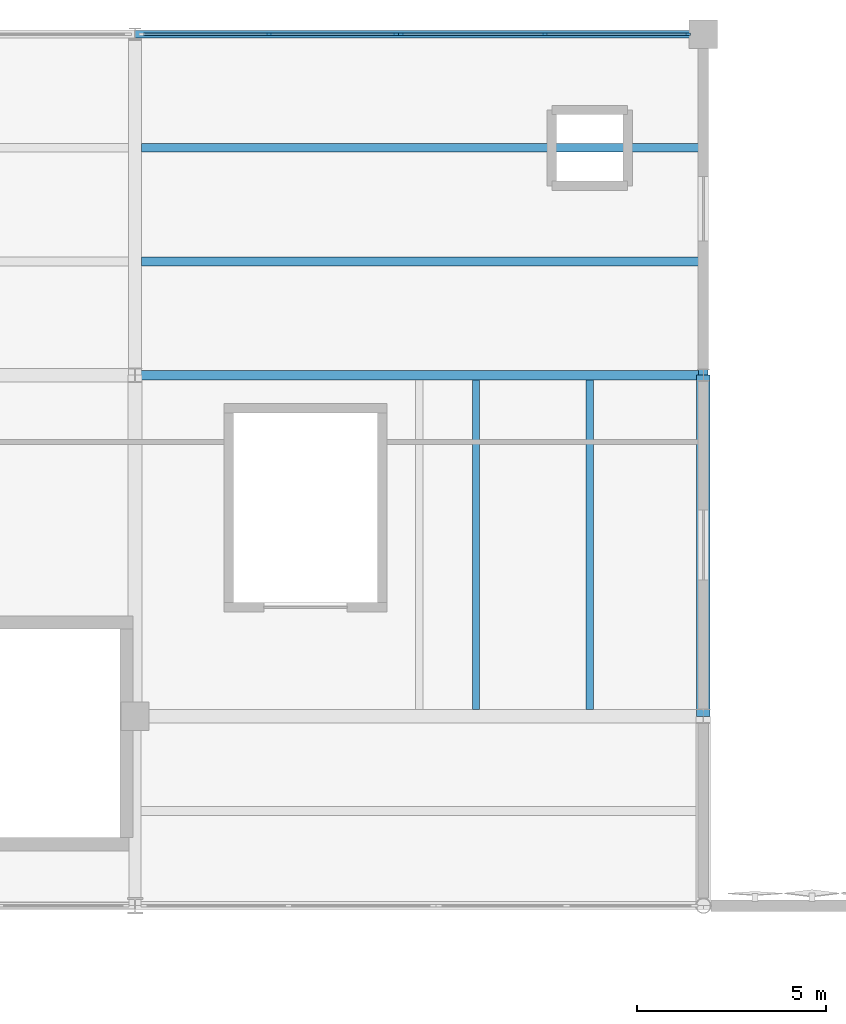
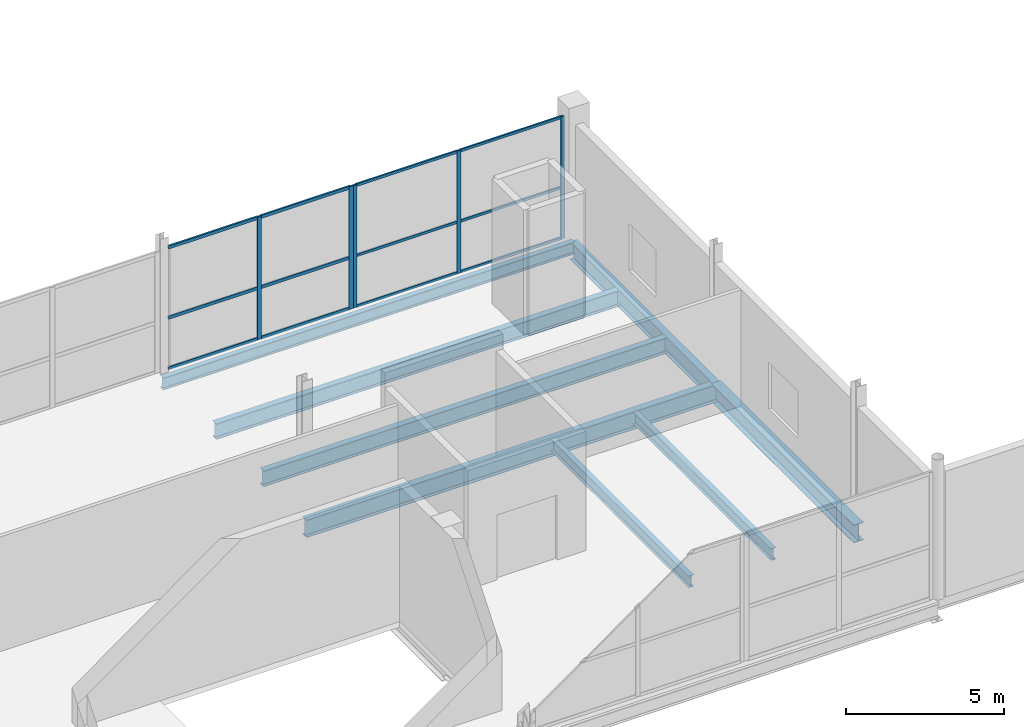
# One storey, part 39 of 119: 17 members, 8 beams, 2 elements without a shape of their own.
"""IFC4 building model written with IfcOpenShell, lengths in metres."""

from ifc_helpers import new_model, si_unit, direction, frame, origin, origin_2d, place, context, subcontext, project, spatial, rectangle, i_section, extrude, material, layer, layer_set, material_profile, profile_set, type_object, element, aggregate, save


model = new_model("IFC4")

# Units and contexts
model_context = context("Model", 3, precision=1e-05, world=origin(), true_north=direction((0.0, 1.0)))
body_context = subcontext(model_context, "Body", "Model", "MODEL_VIEW")
ifc_project = project(units=[si_unit("LENGTHUNIT", "METRE"), si_unit("AREAUNIT", "SQUARE_METRE"), si_unit("VOLUMEUNIT", "CUBIC_METRE"), si_unit("PLANEANGLEUNIT", "RADIAN"), si_unit("MASSUNIT", "GRAM", prefix="KILO")], contexts=[model_context])

# Site, building, storey
site_placement = place(None, origin())
site = spatial("IfcSite", under=ifc_project, at=site_placement, CompositionType="ELEMENT")
building_placement = place(site_placement, origin())
building = spatial("IfcBuilding", under=site, at=building_placement, Name="Qamarlyn Nura Convention Centre", CompositionType="ELEMENT")
storey_placement = place(building_placement, frame((0.0, 0.0, 5.39990234375)))
storey = spatial("IfcBuildingStorey", under=building, at=storey_placement, Name="L01", CompositionType="ELEMENT", Elevation=5.39990234375)

# Beams
ifc_material_1 = material(Name="Steel ASTM A992", Category="steel")
ifc_material_profile_1 = material_profile(ifc_material_1, i_section(OverallWidth=0.35498046875, OverallDepth=0.695068359375, WebThickness=0.015380859375, FlangeThickness=0.02490234375, FilletRadius=0.01806640625, at=origin_2d()), Name="W690X217")
ifc_profile_set_1 = profile_set([ifc_material_profile_1], Name="Steel ASTM A992")
beam_type_1 = type_object("IfcBeamType", Name="BM-GIRD-690A", PredefinedType="BEAM", material=ifc_profile_set_1)
beam_1_placement = place(storey_placement, frame((90.0, 108.0, -0.5673828125), z_axis=(0.0, 1.0, 0.0), x_axis=(-1.0, 0.0, 0.0)))
element("IfcBeam", 1, at=beam_1_placement, inside=storey, type_object=beam_type_1, Name="L01 girder 7 N-P", PredefinedType="BEAM", context=body_context, shape_type="SweptSolid", body=[
    extrude(i_section(OverallWidth=0.35498046875, OverallDepth=0.695068359375, WebThickness=0.015380859375, FlangeThickness=0.02490234375, FilletRadius=0.01806640625, at=origin_2d()), origin(), (0.0, 0.0, 1.0), 9.0),
])
ifc_material_profile_2 = material_profile(ifc_material_1, i_section(OverallWidth=0.25390625, OverallDepth=0.68408203125, WebThickness=0.012451171875, FlangeThickness=0.01904296875, FilletRadius=0.01806640625, at=origin_2d()), Name="W690X140")
ifc_profile_set_2 = profile_set([ifc_material_profile_2], Name="Steel ASTM A992")
beam_type_2 = type_object("IfcBeamType", Name="BM-GIRD-690B", PredefinedType="BEAM", material=ifc_profile_set_2)
beam_2_placement = place(storey_placement, frame((75.0, 117.0, -0.56201171875), z_axis=(1.0, 0.0, 0.0), x_axis=(0.0, 1.0, 0.0)))
element("IfcBeam", 2, at=beam_2_placement, inside=storey, type_object=beam_type_2, Name="L01 girder P 6-7", PredefinedType="BEAM", context=body_context, shape_type="SweptSolid", body=[
    extrude(i_section(OverallWidth=0.25390625, OverallDepth=0.68408203125, WebThickness=0.012451171875, FlangeThickness=0.01904296875, FilletRadius=0.01806640625, at=origin_2d()), origin(), (0.0, 0.0, 1.0), 15.0),
])
beam_3_placement = place(storey_placement, frame((90.0, 117.0, -0.56201171875), z_axis=(0.0, 1.0, 0.0), x_axis=(-1.0, 0.0, 0.0)))
element("IfcBeam", 3, at=beam_3_placement, inside=storey, type_object=beam_type_2, Name="L01 girder 7 P-Q", PredefinedType="BEAM", context=body_context, shape_type="SweptSolid", body=[
    extrude(i_section(OverallWidth=0.25390625, OverallDepth=0.68408203125, WebThickness=0.012451171875, FlangeThickness=0.01904296875, FilletRadius=0.01806640625, at=origin_2d()), origin(), (0.0, 0.0, 1.0), 9.0),
])
ifc_material_profile_3 = material_profile(ifc_material_1, i_section(OverallWidth=0.18994140625, OverallDepth=0.45703125, WebThickness=0.009033203125, FlangeThickness=0.014404296875, FilletRadius=0.012939453125, at=origin_2d()), Name="W460X74")
ifc_profile_set_3 = profile_set([ifc_material_profile_3], Name="Steel ASTM A992")
beam_type_3 = type_object("IfcBeamType", Name="BM-JOIST-460", PredefinedType="JOIST", material=ifc_profile_set_3)
for number, where, z_axis, x_axis, name in (
    (4, (84.0, 108.177490234375, -0.448486328125), (0.0, 1.0, 0.0), (-1.0, 0.0, 0.0), "L01 secondary joist 6-7/N-P-01"),
    (5, (87.0, 108.177490234375, -0.448486328125), (0.0, 1.0, 0.0), (-1.0, 0.0, 0.0), "L01 secondary joist 6-7/N-P-02"),
):
    element("IfcBeam", number, at=place(storey_placement, frame(where, z_axis=z_axis, x_axis=x_axis)), inside=storey, type_object=beam_type_3, Name=name, PredefinedType="JOIST", context=body_context, shape_type="SweptSolid", body=[
        extrude(i_section(OverallWidth=0.18994140625, OverallDepth=0.45703125, WebThickness=0.009033203125, FlangeThickness=0.014404296875, FilletRadius=0.012939453125, at=origin_2d()), origin(), (0.0, 0.0, 1.0), 8.695556640625),
    ])
ifc_material_profile_4 = material_profile(ifc_material_1, i_section(OverallWidth=0.22802734375, OverallDepth=0.60791015625, WebThickness=0.01123046875, FlangeThickness=0.017333984375, FilletRadius=0.01611328125, at=origin_2d()), Name="W610X113")
ifc_profile_set_4 = profile_set([ifc_material_profile_4], Name="Steel ASTM A992")
beam_type_4 = type_object("IfcBeamType", Name="BM-JOIST-610", PredefinedType="JOIST", material=ifc_profile_set_4)
for number, where, z_axis, x_axis, name in (
    (6, (75.177490234375, 120.0, -0.52392578125), (1.0, 0.0, 0.0), (0.0, 1.0, 0.0), "L01 composite joist 6-7/P+1"),
    (7, (75.177490234375, 123.0, -0.52392578125), (1.0, 0.0, 0.0), (0.0, 1.0, 0.0), "L01 composite joist 6-7/P+2"),
):
    element("IfcBeam", number, at=place(storey_placement, frame(where, z_axis=z_axis, x_axis=x_axis)), inside=storey, type_object=beam_type_4, Name=name, PredefinedType="JOIST", context=body_context, shape_type="SweptSolid", body=[
        extrude(i_section(OverallWidth=0.22802734375, OverallDepth=0.60791015625, WebThickness=0.01123046875, FlangeThickness=0.017333984375, FilletRadius=0.01611328125, at=origin_2d()), origin(), (0.0, 0.0, 1.0), 14.695556640625),
    ])
ifc_material_profile_5 = material_profile(ifc_material_1, i_section(OverallWidth=0.193115234375, OverallDepth=0.466064453125, WebThickness=0.011474609375, FlangeThickness=0.01904296875, FilletRadius=0.012939453125, at=origin_2d()), Name="W460X97")
ifc_profile_set_5 = profile_set([ifc_material_profile_5], Name="Steel ASTM A992")
beam_type_5 = type_object("IfcBeamType", Name="BM-SPAN-460", PredefinedType="SPANDREL", material=ifc_profile_set_5)
beam_4_placement = place(storey_placement, frame((75.0, 126.0, -0.452880859375), z_axis=(1.0, 0.0, 0.0), x_axis=(0.0, 1.0, 0.0)))
element("IfcBeam", 8, at=beam_4_placement, inside=storey, type_object=beam_type_5, Name="L01 girder Q 6-7", PredefinedType="SPANDREL", context=body_context, shape_type="SweptSolid", body=[
    extrude(i_section(OverallWidth=0.193115234375, OverallDepth=0.466064453125, WebThickness=0.011474609375, FlangeThickness=0.01904296875, FilletRadius=0.012939453125, at=origin_2d()), origin(), (0.0, 0.0, 1.0), 15.0),
])

# Curtain wall, members
ifc_material_2 = material(Name="Double-silver low-E insulated glass", Category="glass")
ifc_layer_1 = layer(ifc_material_2, 0.179931640625, Name="CW-UNIT-50")
ifc_layer_set_1 = layer_set([ifc_layer_1], Name="Double-silver low-E insulated glass")
curtain_wall_type_1 = type_object("IfcCurtainWallType", Name="CW-UNIT-50", PredefinedType="NOTDEFINED", material=ifc_layer_set_1)
curtain_wall_1_placement = place(storey_placement, origin())
curtain_wall_1 = element("IfcCurtainWall", 9, at=curtain_wall_1_placement, inside=storey, type_object=curtain_wall_type_1, Name="L01 unitised curtain wall NS-N5-1B", PredefinedType="NOTDEFINED")
ifc_material_3 = material(Name="Champagne-anodised marine aluminium", Category="aluminium")
ifc_material_profile_6 = material_profile(ifc_material_3, rectangle(XDim=0.06005859375, YDim=0.139892578125, at=origin_2d()), Name="ALU MULLION 60x140")
ifc_profile_set_6 = profile_set([ifc_material_profile_6], Name="Champagne-anodised marine aluminium")
member_type_1 = type_object("IfcMemberType", Name="CWM-140", PredefinedType="MULLION", material=ifc_profile_set_6)
member_1_placement = place(storey_placement, frame((82.024658203125, 126.0, 0.0), z_axis=(0.0, 0.0, 1.0), x_axis=(0.0, 1.0, 0.0)))
member_1 = element("IfcMember", 10, at=member_1_placement, type_object=member_type_1, Name="CW50 mullion 1", PredefinedType="MULLION", context=body_context, shape_type="SweptSolid", body=[
    extrude(rectangle(XDim=0.06005859375, YDim=0.139892578125, at=origin_2d()), origin(), (0.0, 0.0, 1.0), 4.72412109375),
])
member_2_placement = place(storey_placement, frame((85.809814453125, 126.0, 0.0), z_axis=(0.0, 0.0, 1.0), x_axis=(0.0, 1.0, 0.0)))
member_2 = element("IfcMember", 11, at=member_2_placement, type_object=member_type_1, Name="CW50 mullion 2", PredefinedType="MULLION", context=body_context, shape_type="SweptSolid", body=[
    extrude(rectangle(XDim=0.06005859375, YDim=0.139892578125, at=origin_2d()), origin(), (0.0, 0.0, 1.0), 4.72412109375),
])
member_3_placement = place(storey_placement, frame((89.594970703125, 126.0, 0.0), z_axis=(0.0, 0.0, 1.0), x_axis=(0.0, 1.0, 0.0)))
member_3 = element("IfcMember", 12, at=member_3_placement, type_object=member_type_1, Name="CW50 mullion 3", PredefinedType="MULLION", context=body_context, shape_type="SweptSolid", body=[
    extrude(rectangle(XDim=0.06005859375, YDim=0.139892578125, at=origin_2d()), origin(), (0.0, 0.0, 1.0), 4.72412109375),
])

ifc_layer_2 = layer(ifc_material_2, 0.179931640625, Name="CW-UNIT-49")
ifc_layer_set_2 = layer_set([ifc_layer_2], Name="Double-silver low-E insulated glass")
curtain_wall_type_2 = type_object("IfcCurtainWallType", Name="CW-UNIT-49", PredefinedType="NOTDEFINED", material=ifc_layer_set_2)
curtain_wall_2_placement = place(storey_placement, origin())
curtain_wall_2 = element("IfcCurtainWall", 13, at=curtain_wall_2_placement, inside=storey, type_object=curtain_wall_type_2, Name="L01 unitised curtain wall NS-N5-1A", PredefinedType="NOTDEFINED")
ifc_material_profile_7 = material_profile(ifc_material_3, rectangle(XDim=0.06494140625, YDim=0.159912109375, at=origin_2d()), Name="ALU MULLION 65x160")
ifc_profile_set_7 = profile_set([ifc_material_profile_7], Name="Champagne-anodised marine aluminium")
member_type_2 = type_object("IfcMemberType", Name="CWM-160", PredefinedType="MULLION", material=ifc_profile_set_7)
member_4_placement = place(storey_placement, frame((78.533447265625, 126.0, 0.0), z_axis=(0.0, 0.0, 1.0), x_axis=(0.0, 1.0, 0.0)))
member_4 = element("IfcMember", 14, at=member_4_placement, type_object=member_type_2, Name="CW49 mullion 2", PredefinedType="MULLION", context=body_context, shape_type="SweptSolid", body=[
    extrude(rectangle(XDim=0.06494140625, YDim=0.159912109375, at=origin_2d()), origin(), (0.0, 0.0, 1.0), 4.72412109375),
])
member_5_placement = place(storey_placement, frame((81.882080078125, 126.0, 0.0), z_axis=(0.0, 0.0, 1.0), x_axis=(0.0, 1.0, 0.0)))
member_5 = element("IfcMember", 15, at=member_5_placement, type_object=member_type_2, Name="CW49 mullion 3", PredefinedType="MULLION", context=body_context, shape_type="SweptSolid", body=[
    extrude(rectangle(XDim=0.06494140625, YDim=0.159912109375, at=origin_2d()), origin(), (0.0, 0.0, 1.0), 4.72412109375),
])

# Member
ifc_material_profile_8 = material_profile(ifc_material_3, rectangle(XDim=0.06005859375, YDim=0.10009765625, at=origin_2d()), Name="ALU TRANSOM 60x100")
ifc_profile_set_8 = profile_set([ifc_material_profile_8], Name="Champagne-anodised marine aluminium")
member_type_3 = type_object("IfcMemberType", Name="CWT-100", PredefinedType="USERDEFINED", material=ifc_profile_set_8)
member_6_placement = place(storey_placement, frame((82.0546875, 126.0, 0.030029296875), z_axis=(1.0, 0.0, 0.0), x_axis=(0.0, 1.0, 0.0)))
member_6 = element("IfcMember", 16, at=member_6_placement, type_object=member_type_3, Name="CW50 transom 1.1", ObjectType="TRANSOM", PredefinedType="USERDEFINED", context=body_context, shape_type="SweptSolid", body=[
    extrude(rectangle(XDim=0.06005859375, YDim=0.10009765625, at=origin_2d()), origin(), (0.0, 0.0, 1.0), 3.72509765625),
])

member_7_placement = place(storey_placement, frame((82.0546875, 126.0, 1.984130859375), z_axis=(1.0, 0.0, 0.0), x_axis=(0.0, 1.0, 0.0)))
member_7 = element("IfcMember", 17, at=member_7_placement, type_object=member_type_3, Name="CW50 transom 1.2", ObjectType="TRANSOM", PredefinedType="USERDEFINED", context=body_context, shape_type="SweptSolid", body=[
    extrude(rectangle(XDim=0.06005859375, YDim=0.10009765625, at=origin_2d()), origin(), (0.0, 0.0, 1.0), 3.72509765625),
])

member_8_placement = place(storey_placement, frame((82.0546875, 126.0, 4.694091796875), z_axis=(1.0, 0.0, 0.0), x_axis=(0.0, 1.0, 0.0)))
member_8 = element("IfcMember", 18, at=member_8_placement, type_object=member_type_3, Name="CW50 transom 1.3", ObjectType="TRANSOM", PredefinedType="USERDEFINED", context=body_context, shape_type="SweptSolid", body=[
    extrude(rectangle(XDim=0.06005859375, YDim=0.10009765625, at=origin_2d()), origin(), (0.0, 0.0, 1.0), 3.72509765625),
])

member_9_placement = place(storey_placement, frame((85.83984375, 126.0, 0.030029296875), z_axis=(1.0, 0.0, 0.0), x_axis=(0.0, 1.0, 0.0)))
member_9 = element("IfcMember", 19, at=member_9_placement, type_object=member_type_3, Name="CW50 transom 2.1", ObjectType="TRANSOM", PredefinedType="USERDEFINED", context=body_context, shape_type="SweptSolid", body=[
    extrude(rectangle(XDim=0.06005859375, YDim=0.10009765625, at=origin_2d()), origin(), (0.0, 0.0, 1.0), 3.72509765625),
])

member_10_placement = place(storey_placement, frame((85.83984375, 126.0, 1.984130859375), z_axis=(1.0, 0.0, 0.0), x_axis=(0.0, 1.0, 0.0)))
member_10 = element("IfcMember", 20, at=member_10_placement, type_object=member_type_3, Name="CW50 transom 2.2", ObjectType="TRANSOM", PredefinedType="USERDEFINED", context=body_context, shape_type="SweptSolid", body=[
    extrude(rectangle(XDim=0.06005859375, YDim=0.10009765625, at=origin_2d()), origin(), (0.0, 0.0, 1.0), 3.72509765625),
])

member_11_placement = place(storey_placement, frame((85.83984375, 126.0, 4.694091796875), z_axis=(1.0, 0.0, 0.0), x_axis=(0.0, 1.0, 0.0)))
member_11 = element("IfcMember", 21, at=member_11_placement, type_object=member_type_3, Name="CW50 transom 2.3", ObjectType="TRANSOM", PredefinedType="USERDEFINED", context=body_context, shape_type="SweptSolid", body=[
    extrude(rectangle(XDim=0.06005859375, YDim=0.10009765625, at=origin_2d()), origin(), (0.0, 0.0, 1.0), 3.72509765625),
])

aggregate(curtain_wall_1, [member_1, member_2, member_3, member_6, member_7, member_8, member_9, member_10, member_11])

ifc_material_profile_9 = material_profile(ifc_material_3, rectangle(XDim=0.06494140625, YDim=0.1201171875, at=origin_2d()), Name="ALU TRANSOM 65x120")
ifc_profile_set_9 = profile_set([ifc_material_profile_9], Name="Champagne-anodised marine aluminium")
member_type_4 = type_object("IfcMemberType", Name="CWT-120", PredefinedType="USERDEFINED", material=ifc_profile_set_9)
member_12_placement = place(storey_placement, frame((75.217529296875, 126.0, 0.03271484375), z_axis=(1.0, 0.0, 0.0), x_axis=(0.0, 1.0, 0.0)))
member_12 = element("IfcMember", 22, at=member_12_placement, type_object=member_type_4, Name="CW49 transom 1.1", ObjectType="TRANSOM", PredefinedType="USERDEFINED", context=body_context, shape_type="SweptSolid", body=[
    extrude(rectangle(XDim=0.06494140625, YDim=0.1201171875, at=origin_2d()), origin(), (0.0, 0.0, 1.0), 3.283447265625),
])

member_13_placement = place(storey_placement, frame((75.217529296875, 126.0, 1.984130859375), z_axis=(1.0, 0.0, 0.0), x_axis=(0.0, 1.0, 0.0)))
member_13 = element("IfcMember", 23, at=member_13_placement, type_object=member_type_4, Name="CW49 transom 1.2", ObjectType="TRANSOM", PredefinedType="USERDEFINED", context=body_context, shape_type="SweptSolid", body=[
    extrude(rectangle(XDim=0.06494140625, YDim=0.1201171875, at=origin_2d()), origin(), (0.0, 0.0, 1.0), 3.283447265625),
])

member_14_placement = place(storey_placement, frame((75.217529296875, 126.0, 4.691650390625), z_axis=(1.0, 0.0, 0.0), x_axis=(0.0, 1.0, 0.0)))
member_14 = element("IfcMember", 24, at=member_14_placement, type_object=member_type_4, Name="CW49 transom 1.3", ObjectType="TRANSOM", PredefinedType="USERDEFINED", context=body_context, shape_type="SweptSolid", body=[
    extrude(rectangle(XDim=0.06494140625, YDim=0.1201171875, at=origin_2d()), origin(), (0.0, 0.0, 1.0), 3.283447265625),
])

member_15_placement = place(storey_placement, frame((78.566162109375, 126.0, 0.03271484375), z_axis=(1.0, 0.0, 0.0), x_axis=(0.0, 1.0, 0.0)))
member_15 = element("IfcMember", 25, at=member_15_placement, type_object=member_type_4, Name="CW49 transom 2.1", ObjectType="TRANSOM", PredefinedType="USERDEFINED", context=body_context, shape_type="SweptSolid", body=[
    extrude(rectangle(XDim=0.06494140625, YDim=0.1201171875, at=origin_2d()), origin(), (0.0, 0.0, 1.0), 3.283447265625),
])

member_16_placement = place(storey_placement, frame((78.566162109375, 126.0, 1.984130859375), z_axis=(1.0, 0.0, 0.0), x_axis=(0.0, 1.0, 0.0)))
member_16 = element("IfcMember", 26, at=member_16_placement, type_object=member_type_4, Name="CW49 transom 2.2", ObjectType="TRANSOM", PredefinedType="USERDEFINED", context=body_context, shape_type="SweptSolid", body=[
    extrude(rectangle(XDim=0.06494140625, YDim=0.1201171875, at=origin_2d()), origin(), (0.0, 0.0, 1.0), 3.283447265625),
])

member_17_placement = place(storey_placement, frame((78.566162109375, 126.0, 4.691650390625), z_axis=(1.0, 0.0, 0.0), x_axis=(0.0, 1.0, 0.0)))
member_17 = element("IfcMember", 27, at=member_17_placement, type_object=member_type_4, Name="CW49 transom 2.3", ObjectType="TRANSOM", PredefinedType="USERDEFINED", context=body_context, shape_type="SweptSolid", body=[
    extrude(rectangle(XDim=0.06494140625, YDim=0.1201171875, at=origin_2d()), origin(), (0.0, 0.0, 1.0), 3.283447265625),
])

aggregate(curtain_wall_2, [member_4, member_5, member_12, member_13, member_14, member_15, member_16, member_17])

save(model, "model.ifc")
